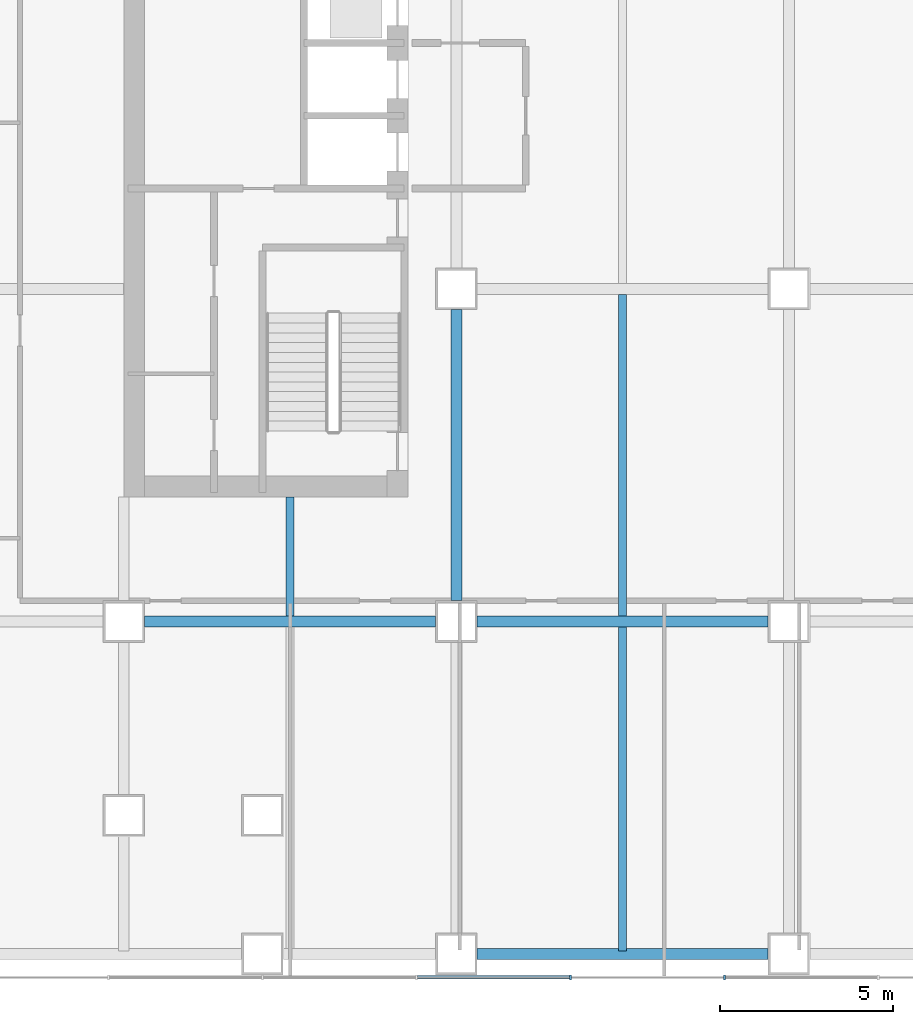
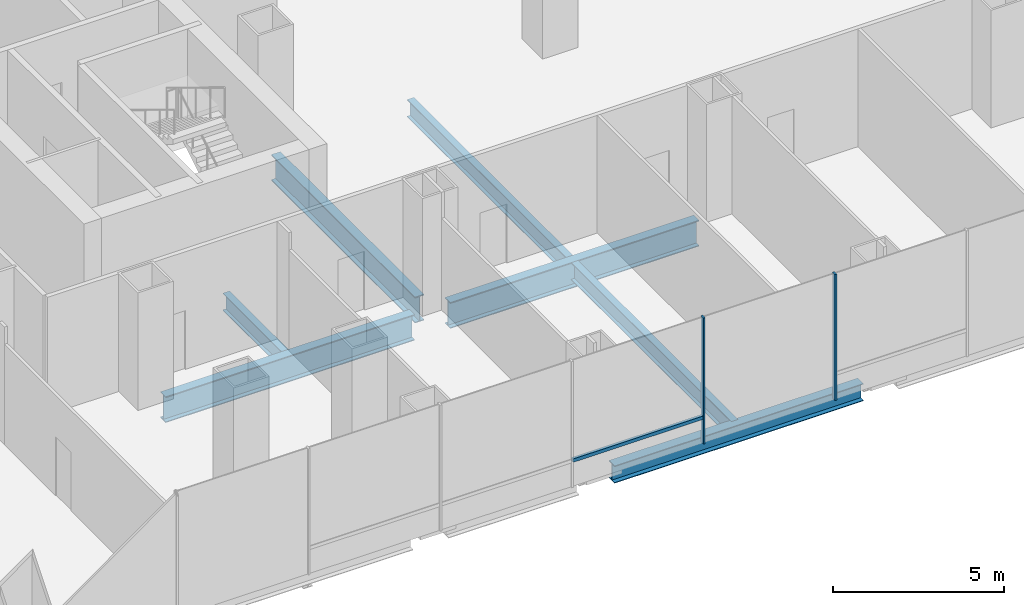
# One storey, part 3 of 23: 7 beams, 3 members, 1 element without a shape of its own.
"""IFC4 building model written with IfcOpenShell, lengths in metres."""

from ifc_helpers import new_model, si_unit, direction, frame, origin, origin_2d, place, context, subcontext, project, spatial, rectangle, i_section, extrude, material, material_profile, profile_set, type_object, element, aggregate, save


model = new_model("IFC4")

# Units and contexts
model_context = context("Model", 3, precision=1e-05, world=origin(), true_north=direction((0.0, 1.0)))
body_context = subcontext(model_context, "Body", "Model", "MODEL_VIEW")
ifc_project = project(units=[si_unit("LENGTHUNIT", "METRE"), si_unit("AREAUNIT", "SQUARE_METRE"), si_unit("VOLUMEUNIT", "CUBIC_METRE"), si_unit("PLANEANGLEUNIT", "RADIAN"), si_unit("MASSUNIT", "GRAM", prefix="KILO")], contexts=[model_context])

# Site, building, storey
site_placement = place(None, origin())
site = spatial("IfcSite", under=ifc_project, at=site_placement, CompositionType="ELEMENT")
building_placement = place(site_placement, origin())
building = spatial("IfcBuilding", under=site, at=building_placement, Name="Cobrizo Arcos Hotel Tower", CompositionType="ELEMENT")
storey_placement = place(building_placement, frame((0.0, 0.0, 29.0)))
storey = spatial("IfcBuildingStorey", under=building, at=storey_placement, Name="L05", CompositionType="ELEMENT", Elevation=29.0)

# Curtain wall, members
ifc_material_1 = material(Name="Aluminium 6063-T6 anodised bronze", Category="aluminium")
curtain_wall_type = type_object("IfcCurtainWallType", Name="CW-A guest facade", PredefinedType="NOTDEFINED", material=ifc_material_1)
curtain_wall_placement = place(storey_placement, origin())
curtain_wall = element("IfcCurtainWall", 1, at=curtain_wall_placement, inside=storey, type_object=curtain_wall_type, Name="CW-A L05 S face", PredefinedType="NOTDEFINED")
ifc_material_profile_1 = material_profile(ifc_material_1, rectangle(XDim=0.14990234375, YDim=0.06005859375, at=origin_2d()), Name="CW-A mullion 150x60")
ifc_profile_set_1 = profile_set([ifc_material_profile_1], Name="Aluminium 6063-T6 anodised bronze")
member_type_1 = type_object("IfcMemberType", Name="CW-A mullion 150x60", PredefinedType="MULLION", material=ifc_profile_set_1)
member_1_placement = place(storey_placement, frame((-11.111083984375, -24.675048828125, 0.0), z_axis=(0.0, 0.0, 1.0), x_axis=(0.0, -1.0, 0.0)))
member_1 = element("IfcMember", 2, at=member_1_placement, type_object=member_type_1, Name="CW-A mullion 7", PredefinedType="MULLION", context=body_context, shape_type="SweptSolid", body=[
    extrude(rectangle(XDim=0.14990234375, YDim=0.06005859375, at=origin_2d()), origin(), (0.0, 0.0, 1.0), 4.5),
])
member_2_placement = place(storey_placement, frame((-6.666748046875, -24.675048828125, 0.0), z_axis=(0.0, 0.0, 1.0), x_axis=(0.0, -1.0, 0.0)))
member_2 = element("IfcMember", 3, at=member_2_placement, type_object=member_type_1, Name="CW-A mullion 8", PredefinedType="MULLION", context=body_context, shape_type="SweptSolid", body=[
    extrude(rectangle(XDim=0.14990234375, YDim=0.06005859375, at=origin_2d()), origin(), (0.0, 0.0, 1.0), 4.5),
])
ifc_material_profile_2 = material_profile(ifc_material_1, rectangle(XDim=0.10009765625, YDim=0.1201171875, at=origin_2d()), Name="CW-A transom 120x100")
ifc_profile_set_2 = profile_set([ifc_material_profile_2], Name="Aluminium 6063-T6 anodised bronze")
member_type_2 = type_object("IfcMemberType", Name="CW-A transom 120x100", PredefinedType="USERDEFINED", material=ifc_profile_set_2)
member_3_placement = place(storey_placement, frame((-15.525634765625, -24.675048828125, 0.929931640625), z_axis=(1.0, 0.0, 0.0), x_axis=(0.0, 1.0, 0.0)))
member_3 = element("IfcMember", 4, at=member_3_placement, type_object=member_type_2, Name="CW-A transom 311", ObjectType="TRANSOM", PredefinedType="USERDEFINED", context=body_context, shape_type="SweptSolid", body=[
    extrude(rectangle(XDim=0.10009765625, YDim=0.1201171875, at=origin_2d()), origin(), (0.0, 0.0, 1.0), 4.384521484375),
])
aggregate(curtain_wall, [member_1, member_2, member_3])

# Beams
ifc_material_2 = material(Name="Steel ASTM A992 Grade 50", Category="steel")
ifc_material_profile_3 = material_profile(ifc_material_2, i_section(OverallWidth=0.32763671875, OverallDepth=0.622314453125, WebThickness=0.015380859375, FlangeThickness=0.0244140625, at=origin_2d()), Name="W24X131")
ifc_profile_set_3 = profile_set([ifc_material_profile_3], Name="Steel ASTM A992 Grade 50")
beam_type_1 = type_object("IfcBeamType", Name="W24X131 spandrel", PredefinedType="SPANDREL", material=ifc_profile_set_3)
beam_1_placement = place(storey_placement, frame((-13.800048828125, -24.0, -0.51123046875), z_axis=(1.0, 0.0, 0.0), x_axis=(0.0, 1.0, 0.0)))
element("IfcBeam", 5, at=beam_1_placement, inside=storey, type_object=beam_type_1, Name="Spandrel beam W24X131, L05, no. 010", PredefinedType="SPANDREL", context=body_context, shape_type="SweptSolid", body=[
    extrude(i_section(OverallWidth=0.32763671875, OverallDepth=0.622314453125, WebThickness=0.015380859375, FlangeThickness=0.0244140625, at=origin_2d()), origin(), (0.0, 0.0, 1.0), 8.400146484375),
])
ifc_material_profile_4 = material_profile(ifc_material_2, i_section(OverallWidth=0.23046875, OverallDepth=0.6171875, WebThickness=0.01318359375, FlangeThickness=0.022216796875, at=origin_2d()), Name="W24X94")
ifc_profile_set_4 = profile_set([ifc_material_profile_4], Name="Steel ASTM A992 Grade 50")
beam_type_2 = type_object("IfcBeamType", Name="W24X94 podium joist", PredefinedType="JOIST", material=ifc_profile_set_4)
beam_2_placement = place(storey_placement, frame((-19.199951171875, -14.246337890625, -0.508544921875), z_axis=(0.0, 1.0, 0.0), x_axis=(-1.0, 0.0, 0.0)))
element("IfcBeam", 6, at=beam_2_placement, inside=storey, type_object=beam_type_2, Name="Podium joist PJ1, L05, no. 007", PredefinedType="JOIST", context=body_context, shape_type="SweptSolid", body=[
    extrude(i_section(OverallWidth=0.23046875, OverallDepth=0.6171875, WebThickness=0.01318359375, FlangeThickness=0.022216796875, at=origin_2d()), origin(), (0.0, 0.0, 1.0), 3.436279296875),
])
beam_3_placement = place(storey_placement, frame((-9.60009765625, -23.909912109375, -0.508544921875), z_axis=(0.0, 1.0, 0.0), x_axis=(-1.0, 0.0, 0.0)))
element("IfcBeam", 7, at=beam_3_placement, inside=storey, type_object=beam_type_2, Name="Podium joist PJ1, L05, no. 010", PredefinedType="JOIST", context=body_context, shape_type="SweptSolid", body=[
    extrude(i_section(OverallWidth=0.23046875, OverallDepth=0.6171875, WebThickness=0.01318359375, FlangeThickness=0.022216796875, at=origin_2d()), origin(), (0.0, 0.0, 1.0), 9.356201171875),
])
beam_4_placement = place(storey_placement, frame((-9.60009765625, -14.246337890625, -0.508544921875), z_axis=(0.0, 1.0, 0.0), x_axis=(-1.0, 0.0, 0.0)))
element("IfcBeam", 8, at=beam_4_placement, inside=storey, type_object=beam_type_2, Name="Podium joist PJ1, L05, no. 011", PredefinedType="JOIST", context=body_context, shape_type="SweptSolid", body=[
    extrude(i_section(OverallWidth=0.23046875, OverallDepth=0.6171875, WebThickness=0.01318359375, FlangeThickness=0.022216796875, at=origin_2d()), origin(), (0.0, 0.0, 1.0), 9.292724609375),
])
ifc_material_profile_5 = material_profile(ifc_material_2, i_section(OverallWidth=0.307373046875, OverallDepth=0.927001953125, WebThickness=0.01953125, FlangeThickness=0.031982421875, at=origin_2d()), Name="W36X194")
ifc_profile_set_5 = profile_set([ifc_material_profile_5], Name="Steel ASTM A992 Grade 50")
beam_type_3 = type_object("IfcBeamType", Name="W36X194 podium girder", PredefinedType="BEAM", material=ifc_profile_set_5)
beam_5_placement = place(storey_placement, frame((-23.39990234375, -14.39990234375, -0.66357421875), z_axis=(1.0, 0.0, 0.0), x_axis=(0.0, 1.0, 0.0)))
element("IfcBeam", 9, at=beam_5_placement, inside=storey, type_object=beam_type_3, Name="Podium girder PG1, L05, no. 003", PredefinedType="BEAM", context=body_context, shape_type="SweptSolid", body=[
    extrude(i_section(OverallWidth=0.307373046875, OverallDepth=0.927001953125, WebThickness=0.01953125, FlangeThickness=0.031982421875, at=origin_2d()), origin(), (0.0, 0.0, 1.0), 8.39990234375),
])
for number, where, z_axis, x_axis, name in (
    (10, (-13.800048828125, -14.39990234375, -0.66357421875), (1.0, 0.0, 0.0), (0.0, 1.0, 0.0), "Podium girder PG1, L05, no. 004"),
    (11, (-14.39990234375, -13.800048828125, -0.66357421875), (0.0, 1.0, 0.0), (-1.0, 0.0, 0.0), "Podium girder PG1, L05, no. 047"),
):
    element("IfcBeam", number, at=place(storey_placement, frame(where, z_axis=z_axis, x_axis=x_axis)), inside=storey, type_object=beam_type_3, Name=name, PredefinedType="BEAM", context=body_context, shape_type="SweptSolid", body=[
        extrude(i_section(OverallWidth=0.307373046875, OverallDepth=0.927001953125, WebThickness=0.01953125, FlangeThickness=0.031982421875, at=origin_2d()), origin(), (0.0, 0.0, 1.0), 8.400146484375),
    ])

save(model, "model.ifc")
